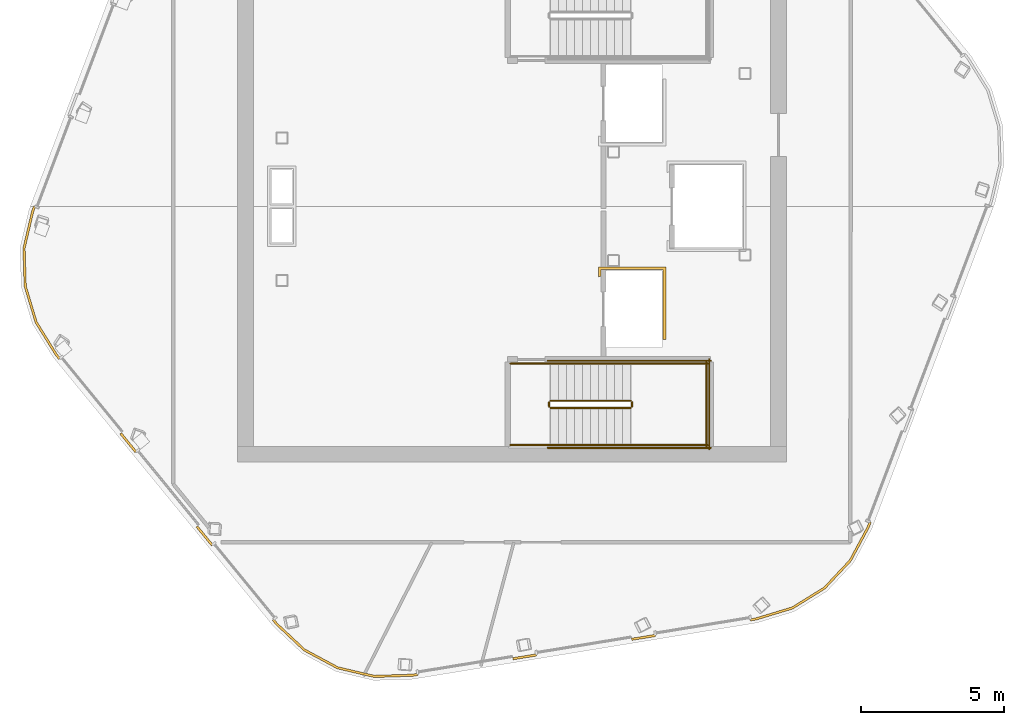
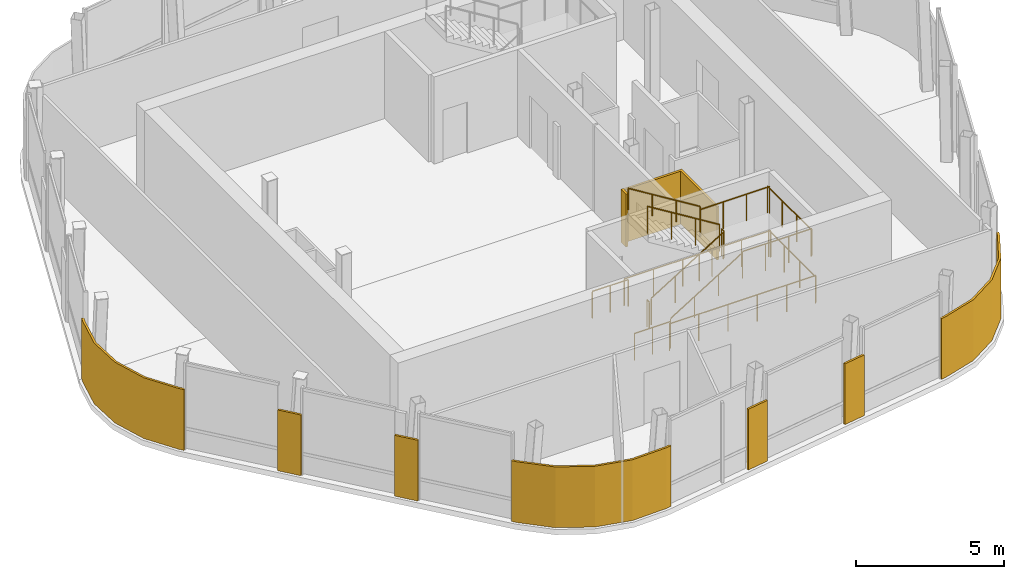
# One storey, part 6 of 8: 14 railings, 8 coverings.
"""IFC4 building model written with IfcOpenShell, lengths in metres."""

from ifc_helpers import new_model, si_unit, direction, frame, origin, origin_2d, place, context, subcontext, project, spatial, polyline, circle, outline, extrude, material, layer, layer_set, type_object, element, save


model = new_model("IFC4")

# Units and contexts
model_context = context("Model", 3, precision=1e-05, world=origin(), true_north=direction((0.0, 1.0)))
body_context = subcontext(model_context, "Body", "Model", "MODEL_VIEW")
ifc_project = project(units=[si_unit("LENGTHUNIT", "METRE"), si_unit("AREAUNIT", "SQUARE_METRE"), si_unit("VOLUMEUNIT", "CUBIC_METRE"), si_unit("PLANEANGLEUNIT", "RADIAN"), si_unit("MASSUNIT", "GRAM", prefix="KILO")], contexts=[model_context])

# Site, building, storey
site_placement = place(None, origin())
site = spatial("IfcSite", under=ifc_project, at=site_placement, CompositionType="ELEMENT")
building_placement = place(site_placement, origin())
building = spatial("IfcBuilding", under=site, at=building_placement, Name="Valkerne Bourse Tower", CompositionType="ELEMENT")
storey_placement = place(building_placement, frame((0.0, 0.0, 323.0)))
storey = spatial("IfcBuildingStorey", under=building, at=storey_placement, Name="L82", CompositionType="ELEMENT", Elevation=323.0)

# Coverings
ifc_material_1 = material(Name="Bronze Anodised Aluminium AA 6063-T6", Category="aluminium")
ifc_layer_1 = layer(ifc_material_1, 0.06005859375)
ifc_layer_set_1 = layer_set([ifc_layer_1], Name="Bronze Anodised Aluminium AA 6063-T6")
covering_type_1 = type_object("IfcCoveringType", Name="COV-CRN-ALUM", PredefinedType="CLADDING", material=ifc_layer_set_1)
covering_1_placement = place(storey_placement, origin())
element("IfcCovering", 1, at=covering_1_placement, inside=storey, type_object=covering_type_1, Name="L82 Wind-Shaped Corner Aluminium Cladding 04", PredefinedType="CLADDING", context=body_context, shape_type="SweptSolid", body=[
    extrude(outline(polyline([(59.297607421875, 15.76611328125), (58.665283203125, 14.587158203125), (57.754150390625, 13.61669921875), (56.622802734375, 12.915283203125), (55.34228515625, 12.528564453125), (55.151611328125, 12.497314453125), (55.138427734375, 12.576171875), (55.32421875, 12.606689453125), (56.589599609375, 12.98876953125), (57.702880859375, 13.67919921875), (58.599853515625, 14.634033203125), (59.224609375, 15.79931640625), (59.291015625, 15.97509765625), (59.36572265625, 15.94677734375), (59.297607421875, 15.76611328125)])), origin(), (0.0, 0.0, 1.0), 2.5),
])
covering_2_placement = place(storey_placement, origin())
element("IfcCovering", 2, at=covering_2_placement, inside=storey, type_object=covering_type_1, Name="L82 Wind-Shaped Corner Aluminium Cladding 05", PredefinedType="CLADDING", context=body_context, shape_type="SweptSolid", body=[
    extrude(outline(polyline([(50.994873046875, 11.816650390625), (50.98193359375, 11.8955078125), (51.810791015625, 12.03125), (51.82373046875, 11.952392578125), (50.994873046875, 11.816650390625)])), origin(), (0.0, 0.0, 1.0), 2.5),
])
covering_3_placement = place(storey_placement, origin())
element("IfcCovering", 3, at=covering_3_placement, inside=storey, type_object=covering_type_1, Name="L82 Wind-Shaped Corner Aluminium Cladding 06", PredefinedType="CLADDING", context=body_context, shape_type="SweptSolid", body=[
    extrude(outline(polyline([(46.83837890625, 11.135986328125), (46.8251953125, 11.21484375), (47.654296875, 11.3505859375), (47.667236328125, 11.271728515625), (46.83837890625, 11.135986328125)])), origin(), (0.0, 0.0, 1.0), 2.5),
])
covering_4_placement = place(storey_placement, origin())
element("IfcCovering", 4, at=covering_4_placement, inside=storey, type_object=covering_type_1, Name="L82 Wind-Shaped Corner Aluminium Cladding 07", PredefinedType="CLADDING", context=body_context, shape_type="SweptSolid", body=[
    extrude(outline(polyline([(43.31982421875, 10.559814453125), (41.982666015625, 10.517822265625), (40.686767578125, 10.82177734375), (39.513671875, 11.45068359375), (38.538330078125, 12.36669921875), (38.416015625, 12.51611328125), (38.47802734375, 12.56689453125), (38.596923828125, 12.42138671875), (39.560791015625, 11.516357421875), (40.71533203125, 10.897216796875), (41.99072265625, 10.59814453125), (43.31201171875, 10.6396484375), (43.49755859375, 10.669921875), (43.510498046875, 10.591064453125), (43.31982421875, 10.559814453125)])), origin(), (0.0, 0.0, 1.0), 2.5),
])
covering_5_placement = place(storey_placement, origin())
element("IfcCovering", 5, at=covering_5_placement, inside=storey, type_object=covering_type_1, Name="L82 Wind-Shaped Corner Aluminium Cladding 08", PredefinedType="CLADDING", context=body_context, shape_type="SweptSolid", body=[
    extrude(outline(polyline([(35.748291015625, 15.775390625), (35.810302734375, 15.826171875), (36.34228515625, 15.17626953125), (36.2802734375, 15.12548828125), (35.748291015625, 15.775390625)])), origin(), (0.0, 0.0, 1.0), 2.5),
])
covering_6_placement = place(storey_placement, origin())
element("IfcCovering", 6, at=covering_6_placement, inside=storey, type_object=covering_type_1, Name="L82 Wind-Shaped Corner Aluminium Cladding 09", PredefinedType="CLADDING", context=body_context, shape_type="SweptSolid", body=[
    extrude(outline(polyline([(33.08056640625, 19.034912109375), (33.142333984375, 19.085693359375), (33.67431640625, 18.435546875), (33.612548828125, 18.385009765625), (33.08056640625, 19.034912109375)])), origin(), (0.0, 0.0, 1.0), 2.5),
])
covering_7_placement = place(storey_placement, origin())
element("IfcCovering", 7, at=covering_7_placement, inside=storey, type_object=covering_type_1, Name="L82 Wind-Shaped Corner Aluminium Cladding 10", PredefinedType="CLADDING", context=body_context, shape_type="SweptSolid", body=[
    extrude(outline(polyline([(30.822265625, 21.7939453125), (30.1171875, 22.930908203125), (29.732666015625, 24.205078125), (29.69091796875, 25.53564453125), (29.996337890625, 26.837890625), (30.064697265625, 27.018798828125), (30.139404296875, 26.990478515625), (30.072998046875, 26.814697265625), (29.771240234375, 25.527587890625), (29.812255859375, 24.218017578125), (30.19091796875, 22.964111328125), (30.8876953125, 21.840576171875), (31.006591796875, 21.695068359375), (30.94482421875, 21.644287109375), (30.822265625, 21.7939453125)])), origin(), (0.0, 0.0, 1.0), 2.5),
])
ifc_material_2 = material(Name="Gypsum Shaftwall Liner Board", Category="gypsum")
ifc_layer_2 = layer(ifc_material_2, 0.080078125)
ifc_layer_set_2 = layer_set([ifc_layer_2], Name="Gypsum Shaftwall Liner Board")
covering_type_2 = type_object("IfcCoveringType", Name="COV-SHF-CLAD", PredefinedType="CLADDING", material=ifc_layer_set_2)
covering_8_placement = place(storey_placement, origin())
element("IfcCovering", 8, at=covering_8_placement, inside=storey, type_object=covering_type_2, Name="L82 Hoistway & Riser Shaftwall Liner 01", PredefinedType="CLADDING", context=body_context, shape_type="SweptSolid", body=[
    extrude(outline(polyline([(52.179931640625, 24.8798828125), (52.179931640625, 22.35009765625), (52.090087890625, 22.35009765625), (52.090087890625, 24.7900390625), (49.909912109375, 24.7900390625), (49.909912109375, 24.560791015625), (49.869384765625, 24.550537109375), (49.827880859375, 24.53564453125), (49.820068359375, 24.531982421875), (49.820068359375, 24.8798828125), (52.179931640625, 24.8798828125)])), origin(), (0.0, 0.0, 1.0), 2.179931640625),
])

# Railings
ifc_material_3 = material(Name="Galvanised Painted Steel", Category="steel")
railing_type_1 = type_object("IfcRailingType", Name="RLG-ST-GUARD-1120", PredefinedType="GUARDRAIL", material=ifc_material_3)
railing_1_placement = place(storey_placement, frame((48.14990234375, 19.949951171875, 0.172607421875)))
element("IfcRailing", 9, at=railing_1_placement, inside=storey, type_object=railing_type_1, Name="L82 ST-1 stair guard 1", PredefinedType="GUARDRAIL", context=body_context, shape_type="SweptSolid", body=[
    extrude(circle(Radius=0.02392578125, at=origin_2d()), frame((0.0, 0.0, 1.09619140625), z_axis=(0.851089632645, 0.0, 0.525020415988), x_axis=(0.0, 1.0, 0.0)), (0.0, 0.0, 1.0), 3.2900390625),
    extrude(circle(Radius=0.02099609375, at=origin_2d()), origin(), (0.0, 0.0, 1.0), 1.072021484375),
    extrude(circle(Radius=0.02099609375, at=origin_2d()), frame((0.933349609375, 0.0, 0.57568359375)), (0.0, 0.0, 1.0), 1.072021484375),
    extrude(circle(Radius=0.02099609375, at=origin_2d()), frame((1.86669921875, 0.0, 1.151611328125)), (0.0, 0.0, 1.0), 1.072021484375),
    extrude(circle(Radius=0.02099609375, at=origin_2d()), frame((2.800048828125, 0.0, 1.727294921875)), (0.0, 0.0, 1.0), 1.072021484375),
])
railing_2_placement = place(storey_placement, frame((51.0, 20.0, 1.89990234375)))
element("IfcRailing", 10, at=railing_2_placement, inside=storey, type_object=railing_type_1, Name="L82 ST-1 stair guard 2", PredefinedType="GUARDRAIL", context=body_context, shape_type="SweptSolid", body=[
    extrude(circle(Radius=0.02392578125, at=origin_2d()), frame((0.0, 0.0, 1.09619140625), z_axis=(0.0, 1.0, 0.0), x_axis=(-1.0, 0.0, 0.0)), (0.0, 0.0, 1.0), 0.14990234375),
    extrude(circle(Radius=0.02099609375, at=origin_2d()), origin(), (0.0, 0.0, 1.0), 1.072021484375),
    extrude(circle(Radius=0.02099609375, at=origin_2d()), frame((0.0, 0.14990234375, 0.0)), (0.0, 0.0, 1.0), 1.072021484375),
])
for number, where, name in (
    (11, (50.949951171875, 18.64990234375, 1.89990234375), "L82 ST-1 stair guard 3"),
    (12, (50.949951171875, 21.5, 1.89990234375), "L82 ST-1 stair guard 4"),
):
    element("IfcRailing", number, at=place(storey_placement, frame(where)), inside=storey, type_object=railing_type_1, Name=name, PredefinedType="GUARDRAIL", context=body_context, shape_type="SweptSolid", body=[
        extrude(circle(Radius=0.02392578125, at=origin_2d()), frame((0.0, 0.0, 1.09619140625), z_axis=(1.0, 0.0, 0.0), x_axis=(0.0, 1.0, 0.0)), (0.0, 0.0, 1.0), 2.699951171875),
        extrude(circle(Radius=0.02099609375, at=origin_2d()), origin(), (0.0, 0.0, 1.0), 1.072021484375),
        extrude(circle(Radius=0.02099609375, at=origin_2d()), frame((0.89990234375, 0.0, 0.0)), (0.0, 0.0, 1.0), 1.072021484375),
        extrude(circle(Radius=0.02099609375, at=origin_2d()), frame((1.800048828125, 0.0, 0.0)), (0.0, 0.0, 1.0), 1.072021484375),
        extrude(circle(Radius=0.02099609375, at=origin_2d()), frame((2.699951171875, 0.0, 0.0)), (0.0, 0.0, 1.0), 1.072021484375),
    ])
railing_3_placement = place(storey_placement, frame((53.60009765625, 18.60009765625, 1.89990234375)))
element("IfcRailing", 13, at=railing_3_placement, inside=storey, type_object=railing_type_1, Name="L82 ST-1 stair guard 5", PredefinedType="GUARDRAIL", context=body_context, shape_type="SweptSolid", body=[
    extrude(circle(Radius=0.02392578125, at=origin_2d()), frame((0.0, 0.0, 1.09619140625), z_axis=(0.0, 1.0, 0.0), x_axis=(-1.0, 0.0, 0.0)), (0.0, 0.0, 1.0), 2.949951171875),
    extrude(circle(Radius=0.02099609375, at=origin_2d()), origin(), (0.0, 0.0, 1.0), 1.072021484375),
    extrude(circle(Radius=0.02099609375, at=origin_2d()), frame((0.0, 0.9833984375, 0.0)), (0.0, 0.0, 1.0), 1.072021484375),
    extrude(circle(Radius=0.02099609375, at=origin_2d()), frame((0.0, 1.966552734375, 0.0)), (0.0, 0.0, 1.0), 1.072021484375),
    extrude(circle(Radius=0.02099609375, at=origin_2d()), frame((0.0, 2.949951171875, 0.0)), (0.0, 0.0, 1.0), 1.072021484375),
])
railing_4_placement = place(storey_placement, frame((50.949951171875, 20.199951171875, 2.07275390625)))
element("IfcRailing", 14, at=railing_4_placement, inside=storey, type_object=railing_type_1, Name="L82 ST-1 stair guard 6", PredefinedType="GUARDRAIL", context=body_context, shape_type="SweptSolid", body=[
    extrude(circle(Radius=0.02392578125, at=origin_2d()), frame((0.0, 0.0, 1.09619140625), z_axis=(-0.851089632645, 0.0, 0.525020415988), x_axis=(0.0, -1.0, 0.0)), (0.0, 0.0, 1.0), 3.2900390625),
    extrude(circle(Radius=0.02099609375, at=origin_2d()), origin(), (0.0, 0.0, 1.0), 1.072021484375),
    extrude(circle(Radius=0.02099609375, at=origin_2d()), frame((-0.933349609375, 0.0, 0.57568359375)), (0.0, 0.0, 1.0), 1.072021484375),
    extrude(circle(Radius=0.02099609375, at=origin_2d()), frame((-1.86669921875, 0.0, 1.151611328125)), (0.0, 0.0, 1.0), 1.072021484375),
    extrude(circle(Radius=0.02099609375, at=origin_2d()), frame((-2.800048828125, 0.0, 1.727294921875)), (0.0, 0.0, 1.0), 1.072021484375),
])
railing_5_placement = place(storey_placement, frame((48.10009765625, 20.0, 0.0)))
element("IfcRailing", 15, at=railing_5_placement, inside=storey, type_object=railing_type_1, Name="L82 ST-1 stair guard 7", PredefinedType="GUARDRAIL", context=body_context, shape_type="SweptSolid", body=[
    extrude(circle(Radius=0.02392578125, at=origin_2d()), frame((0.0, 0.0, 1.09619140625), z_axis=(0.0, 1.0, 0.0), x_axis=(-1.0, 0.0, 0.0)), (0.0, 0.0, 1.0), 0.14990234375),
    extrude(circle(Radius=0.02099609375, at=origin_2d()), origin(), (0.0, 0.0, 1.0), 1.072021484375),
    extrude(circle(Radius=0.02099609375, at=origin_2d()), frame((0.0, 0.14990234375, 0.0)), (0.0, 0.0, 1.0), 1.072021484375),
])
for number, where, name in (
    (16, (46.75, 18.64990234375, 0.0), "L82 ST-1 stair guard 8"),
    (17, (46.75, 21.5, 0.0), "L82 ST-1 stair guard 9"),
):
    element("IfcRailing", number, at=place(storey_placement, frame(where)), inside=storey, type_object=railing_type_1, Name=name, PredefinedType="GUARDRAIL", context=body_context, shape_type="SweptSolid", body=[
        extrude(circle(Radius=0.02392578125, at=origin_2d()), frame((0.0, 0.0, 1.09619140625), z_axis=(1.0, 0.0, 0.0), x_axis=(0.0, 1.0, 0.0)), (0.0, 0.0, 1.0), 1.39990234375),
        extrude(circle(Radius=0.02099609375, at=origin_2d()), origin(), (0.0, 0.0, 1.0), 1.072021484375),
        extrude(circle(Radius=0.02099609375, at=origin_2d()), frame((0.699951171875, 0.0, 0.0)), (0.0, 0.0, 1.0), 1.072021484375),
        extrude(circle(Radius=0.02099609375, at=origin_2d()), frame((1.39990234375, 0.0, 0.0)), (0.0, 0.0, 1.0), 1.072021484375),
    ])
for number, where, name in (
    (18, (48.050048828125, 18.550048828125, 0.0), "L82 ST-1 stair guard 10"),
    (19, (48.050048828125, 21.60009765625, 0.0), "L82 ST-1 stair guard 11"),
):
    element("IfcRailing", number, at=place(storey_placement, frame(where)), inside=storey, type_object=railing_type_1, Name=name, PredefinedType="GUARDRAIL", context=body_context, shape_type="SweptSolid", body=[
        extrude(circle(Radius=0.02392578125, at=origin_2d()), frame((0.0, 0.0, 1.09619140625), z_axis=(1.0, 0.0, 0.0), x_axis=(0.0, 1.0, 0.0)), (0.0, 0.0, 1.0), 5.699951171875),
        extrude(circle(Radius=0.02099609375, at=origin_2d()), origin(), (0.0, 0.0, 1.0), 1.072021484375),
        extrude(circle(Radius=0.02099609375, at=origin_2d()), frame((1.139892578125, 0.0, 0.0)), (0.0, 0.0, 1.0), 1.072021484375),
        extrude(circle(Radius=0.02099609375, at=origin_2d()), frame((2.280029296875, 0.0, 0.0)), (0.0, 0.0, 1.0), 1.072021484375),
        extrude(circle(Radius=0.02099609375, at=origin_2d()), frame((3.419921875, 0.0, 0.0)), (0.0, 0.0, 1.0), 1.072021484375),
        extrude(circle(Radius=0.02099609375, at=origin_2d()), frame((4.56005859375, 0.0, 0.0)), (0.0, 0.0, 1.0), 1.072021484375),
        extrude(circle(Radius=0.02099609375, at=origin_2d()), frame((5.699951171875, 0.0, 0.0)), (0.0, 0.0, 1.0), 1.072021484375),
    ])
railing_6_placement = place(storey_placement, frame((53.699951171875, 18.5, 0.0)))
element("IfcRailing", 20, at=railing_6_placement, inside=storey, type_object=railing_type_1, Name="L82 ST-1 stair guard 12", PredefinedType="GUARDRAIL", context=body_context, shape_type="SweptSolid", body=[
    extrude(circle(Radius=0.02392578125, at=origin_2d()), frame((0.0, 0.0, 1.09619140625), z_axis=(0.0, 1.0, 0.0), x_axis=(-1.0, 0.0, 0.0)), (0.0, 0.0, 1.0), 3.14990234375),
    extrude(circle(Radius=0.02099609375, at=origin_2d()), origin(), (0.0, 0.0, 1.0), 1.072021484375),
    extrude(circle(Radius=0.02099609375, at=origin_2d()), frame((0.0, 1.050048828125, 0.0)), (0.0, 0.0, 1.0), 1.072021484375),
    extrude(circle(Radius=0.02099609375, at=origin_2d()), frame((0.0, 2.099853515625, 0.0)), (0.0, 0.0, 1.0), 1.072021484375),
    extrude(circle(Radius=0.02099609375, at=origin_2d()), frame((0.0, 3.14990234375, 0.0)), (0.0, 0.0, 1.0), 1.072021484375),
])
ifc_material_4 = material(Name="Stainless Steel AISI 316", Category="steel")
railing_type_2 = type_object("IfcRailingType", Name="RLG-ST-HANDRAIL-900", PredefinedType="HANDRAIL", material=ifc_material_4)
railing_7_placement = place(storey_placement, frame((48.14990234375, 18.64990234375, 0.345458984375)))
element("IfcRailing", 21, at=railing_7_placement, inside=storey, type_object=railing_type_2, Name="L82 ST-1 stair handrail 1", PredefinedType="HANDRAIL", context=body_context, shape_type="SweptSolid", body=[
    extrude(circle(Radius=0.02392578125, at=origin_2d()), frame((0.0, 0.0, 0.8759765625), z_axis=(0.851089632645, 0.0, 0.525020415988), x_axis=(0.0, 1.0, 0.0)), (0.0, 0.0, 1.0), 3.2900390625),
    extrude(circle(Radius=0.02099609375, at=origin_2d()), origin(), (0.0, 0.0, 1.0), 0.851806640625),
    extrude(circle(Radius=0.02099609375, at=origin_2d()), frame((0.933349609375, 0.0, 0.57568359375)), (0.0, 0.0, 1.0), 0.851806640625),
    extrude(circle(Radius=0.02099609375, at=origin_2d()), frame((1.86669921875, 0.0, 1.151611328125)), (0.0, 0.0, 1.0), 0.851806640625),
    extrude(circle(Radius=0.02099609375, at=origin_2d()), frame((2.800048828125, 0.0, 1.727294921875)), (0.0, 0.0, 1.0), 0.851806640625),
])
railing_8_placement = place(storey_placement, frame((50.949951171875, 21.5, 2.245361328125)))
element("IfcRailing", 22, at=railing_8_placement, inside=storey, type_object=railing_type_2, Name="L82 ST-1 stair handrail 2", PredefinedType="HANDRAIL", context=body_context, shape_type="SweptSolid", body=[
    extrude(circle(Radius=0.02392578125, at=origin_2d()), frame((0.0, 0.0, 0.8759765625), z_axis=(-0.851089632645, 0.0, 0.525020415988), x_axis=(0.0, -1.0, 0.0)), (0.0, 0.0, 1.0), 3.2900390625),
    extrude(circle(Radius=0.02099609375, at=origin_2d()), origin(), (0.0, 0.0, 1.0), 0.851806640625),
    extrude(circle(Radius=0.02099609375, at=origin_2d()), frame((-0.933349609375, 0.0, 0.57568359375)), (0.0, 0.0, 1.0), 0.851806640625),
    extrude(circle(Radius=0.02099609375, at=origin_2d()), frame((-1.86669921875, 0.0, 1.151611328125)), (0.0, 0.0, 1.0), 0.851806640625),
    extrude(circle(Radius=0.02099609375, at=origin_2d()), frame((-2.800048828125, 0.0, 1.727294921875)), (0.0, 0.0, 1.0), 0.851806640625),
])

save(model, "model.ifc")
